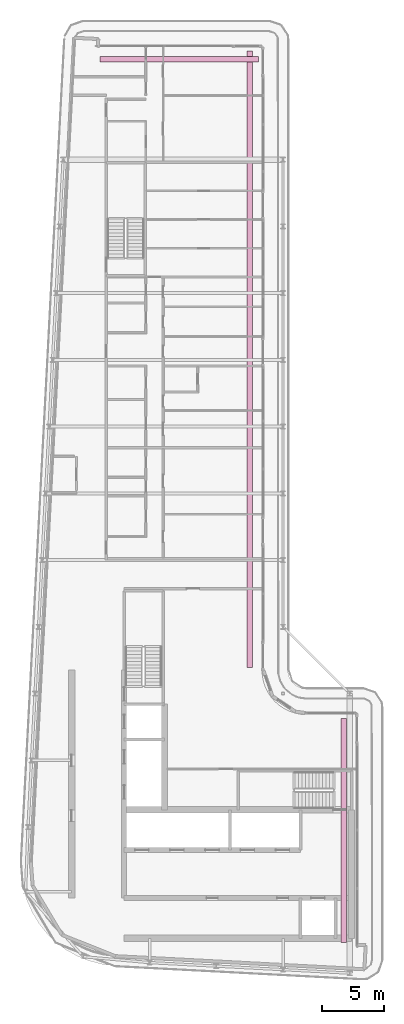
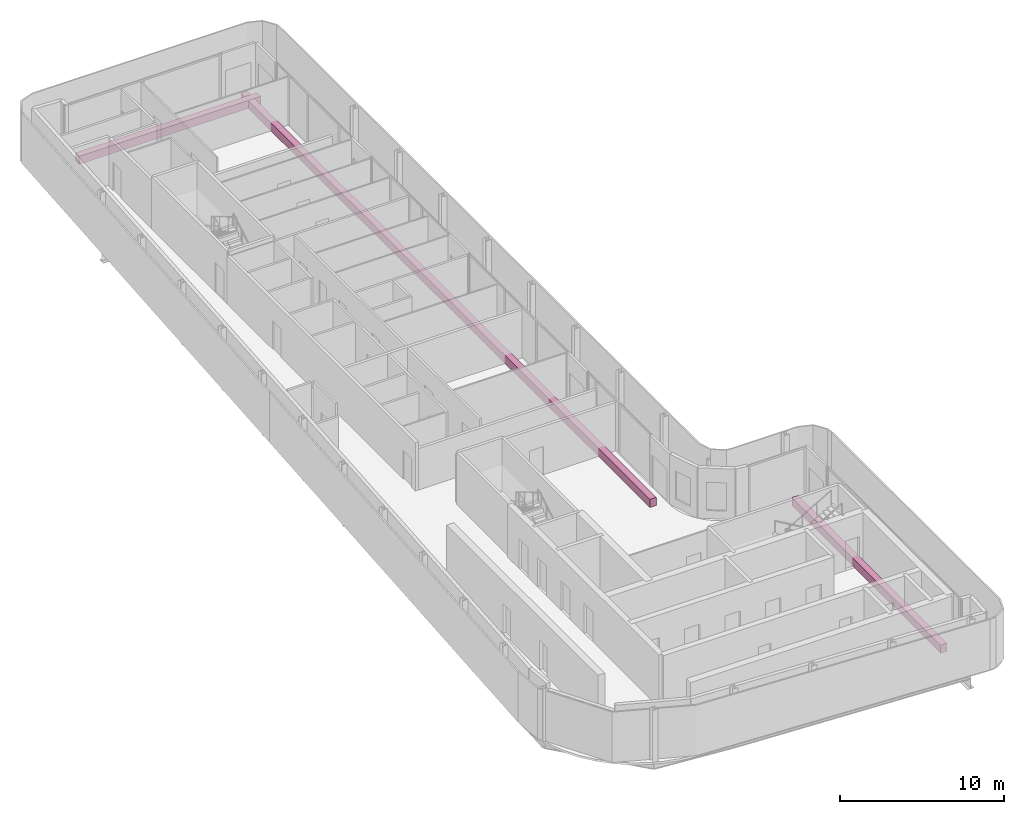
# One storey, part 18 of 18: 3 furniture elements.
"""IFC4 building model written with IfcOpenShell, lengths in metres."""

from ifc_helpers import new_model, si_unit, direction, frame, origin, origin_2d, place, context, subcontext, project, spatial, rectangle, extrude, material, type_object, element, save


model = new_model("IFC4")

# Units and contexts
model_context = context("Model", 3, precision=1e-05, world=origin(), true_north=direction((0.0, 1.0)))
body_context = subcontext(model_context, "Body", "Model", "MODEL_VIEW")
ifc_project = project(units=[si_unit("LENGTHUNIT", "METRE"), si_unit("AREAUNIT", "SQUARE_METRE"), si_unit("VOLUMEUNIT", "CUBIC_METRE"), si_unit("PLANEANGLEUNIT", "RADIAN"), si_unit("MASSUNIT", "GRAM", prefix="KILO")], contexts=[model_context])

# Site, building, storey
site_placement = place(None, origin())
site = spatial("IfcSite", under=ifc_project, at=site_placement, CompositionType="ELEMENT")
building_placement = place(site_placement, origin())
building = spatial("IfcBuilding", under=site, at=building_placement, Name="Kheshtan School and Residences Tower", CompositionType="ELEMENT")
storey_placement = place(building_placement, frame((0.0, 0.0, 365.60009765625)))
storey = spatial("IfcBuildingStorey", under=building, at=storey_placement, Name="L86", CompositionType="ELEMENT", Elevation=365.60009765625)

# Furniture
ifc_material = material(Name="Precast concrete C30/37 in terracotta finish", Category="masonry")
furniture_type = type_object("IfcFurnitureType", Name="Planter trough", AssemblyPlace="NOTDEFINED", PredefinedType="USERDEFINED", material=ifc_material)
furniture_1_placement = place(storey_placement, frame((39.196044921875, 96.925048828125, -0.000244140625), z_axis=(0.0, 0.0, 1.0), x_axis=(1.0, 0.0, 0.0)))
element("IfcFurniture", 1, at=furniture_1_placement, inside=storey, type_object=furniture_type, Name="Planter L86", ObjectType="PLANTER", PredefinedType="USERDEFINED", context=body_context, shape_type="SweptSolid", body=[
    extrude(rectangle(XDim=12.80810546875, YDim=0.449951171875, at=origin_2d()), origin(), (0.0, 0.0, 1.0), 0.60009765625),
])
furniture_2_placement = place(storey_placement, frame((44.925048828125, 72.6650390625, -0.000244140625), z_axis=(0.0, 0.0, 1.0), x_axis=(0.0, -1.0, 0.0)))
element("IfcFurniture", 2, at=furniture_2_placement, inside=storey, type_object=furniture_type, Name="Planter L86", ObjectType="PLANTER", PredefinedType="USERDEFINED", context=body_context, shape_type="SweptSolid", body=[
    extrude(rectangle(XDim=49.8701171875, YDim=0.449951171875, at=origin_2d()), origin(), (0.0, 0.0, 1.0), 0.60009765625),
])
furniture_3_placement = place(storey_placement, frame((52.52490234375, 34.528076171875, -0.000244140625), z_axis=(0.0, 0.0, 1.0), x_axis=(0.0, -1.0, 0.0)))
element("IfcFurniture", 3, at=furniture_3_placement, inside=storey, type_object=furniture_type, Name="Planter L86", ObjectType="PLANTER", PredefinedType="USERDEFINED", context=body_context, shape_type="SweptSolid", body=[
    extrude(rectangle(XDim=18.14404296875, YDim=0.449951171875, at=origin_2d()), origin(), (0.0, 0.0, 1.0), 0.60009765625),
])

save(model, "model.ifc")
